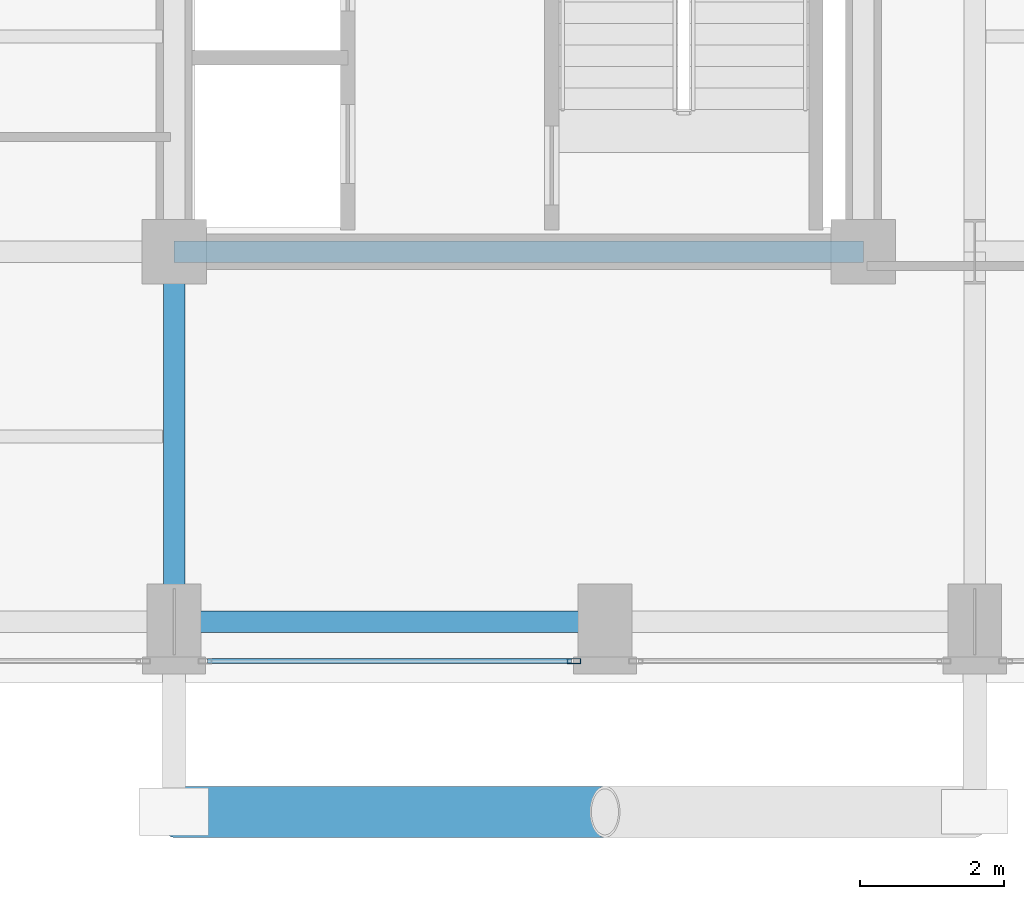
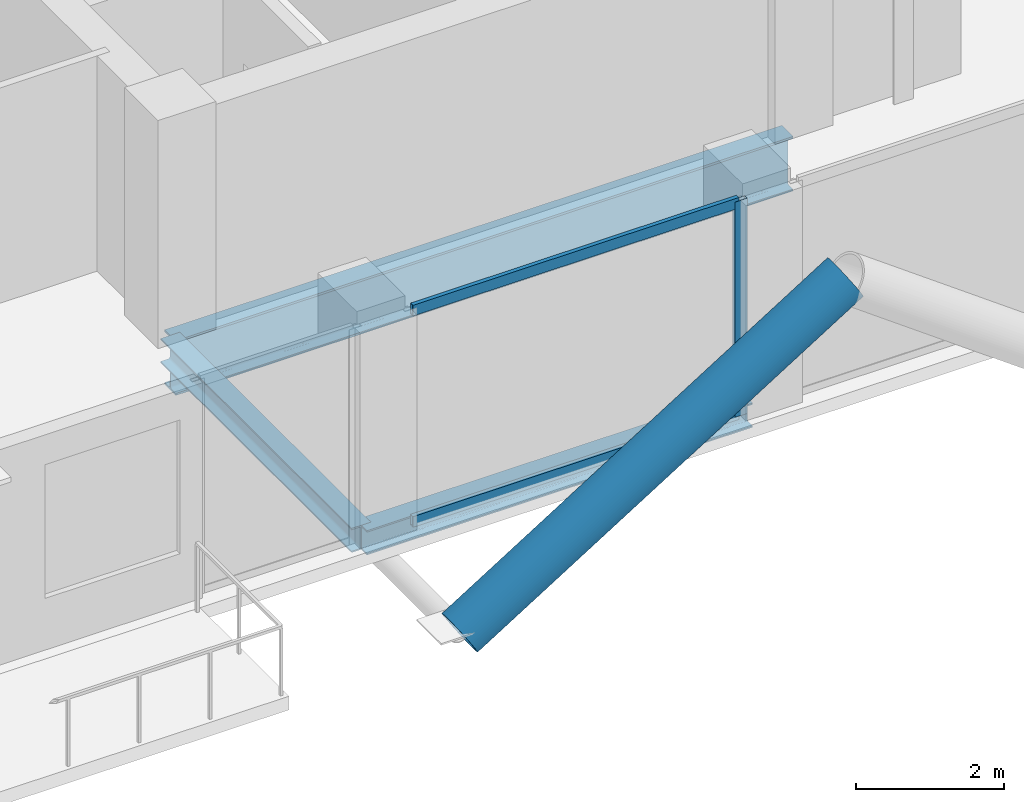
# One storey, part 5 of 21: 4 members, 3 beams, 1 element without a shape of its own.
"""IFC4 building model written with IfcOpenShell, lengths in metres."""

from ifc_helpers import new_model, si_unit, direction, frame, origin, origin_2d, place, context, subcontext, project, spatial, hollow_rectangle, hollow_circle, i_section, extrude, material, layer, layer_set, material_profile, profile_set, type_object, element, aggregate, save


model = new_model("IFC4")

# Units and contexts
model_context = context("Model", 3, precision=1e-05, world=origin(), true_north=direction((0.0, 1.0)))
body_context = subcontext(model_context, "Body", "Model", "MODEL_VIEW")
ifc_project = project(units=[si_unit("LENGTHUNIT", "METRE"), si_unit("AREAUNIT", "SQUARE_METRE"), si_unit("VOLUMEUNIT", "CUBIC_METRE"), si_unit("PLANEANGLEUNIT", "RADIAN"), si_unit("MASSUNIT", "GRAM", prefix="KILO"), si_unit("THERMODYNAMICTEMPERATUREUNIT", "KELVIN"), si_unit("POWERUNIT", "WATT")], contexts=[model_context])

# Site, building, storey
site_placement = place(None, origin())
site = spatial("IfcSite", under=ifc_project, at=site_placement, CompositionType="ELEMENT")
building_placement = place(site_placement, origin())
building = spatial("IfcBuilding", under=site, at=building_placement, Name="Svarakhadi Broadcast Tower", CompositionType="ELEMENT")
storey_placement = place(building_placement, frame((0.0, 0.0, 208.64990234375)))
storey = spatial("IfcBuildingStorey", under=building, at=storey_placement, Name="L51", CompositionType="ELEMENT", Elevation=208.64990234375)

# Curtain wall, members
ifc_material_1 = material(Name="Anodised Bronze Aluminium AA 6063-T6", Category="aluminium")
ifc_layer = layer(ifc_material_1, 0.18994140625)
ifc_layer_set = layer_set([ifc_layer], Name="Anodised Bronze Aluminium AA 6063-T6")
curtain_wall_type = type_object("IfcCurtainWallType", Name="CW_Sys_04", PredefinedType="NOTDEFINED", material=ifc_layer_set)
curtain_wall_placement = place(storey_placement, origin())
curtain_wall = element("IfcCurtainWall", 1, at=curtain_wall_placement, inside=storey, type_object=curtain_wall_type, Name="L51 South Curtain Wall 16 Bay 3", PredefinedType="NOTDEFINED")
ifc_material_profile_1 = material_profile(ifc_material_1, hollow_rectangle(XDim=0.070068359375, YDim=0.18994140625, WallThickness=0.005615234375, at=origin_2d()), Name="ALU MULLION 190x70x6")
ifc_profile_set_1 = profile_set([ifc_material_profile_1], Name="Anodised Bronze Aluminium AA 6063-T6")
member_type_1 = type_object("IfcMemberType", Name="CW_Sys_04_Mul", PredefinedType="MULLION", material=ifc_profile_set_1)
member_1_placement = place(storey_placement, frame((29.570068359375, 0.300048828125, 0.0), z_axis=(0.0, 0.0, 1.0), x_axis=(0.0, -1.0, 0.0)))
member_1 = element("IfcMember", 2, at=member_1_placement, type_object=member_type_1, Name="CW-04 mullion 1", PredefinedType="MULLION", context=body_context, shape_type="SweptSolid", body=[
    extrude(hollow_rectangle(XDim=0.070068359375, YDim=0.18994140625, WallThickness=0.005615234375, at=origin_2d()), origin(), (0.0, 0.0, 1.0), 3.5400390625),
])
ifc_material_profile_2 = material_profile(ifc_material_1, hollow_rectangle(XDim=0.06494140625, YDim=0.175048828125, WallThickness=0.0048828125, at=origin_2d()), Name="ALU TRANSOM 175x65x5")
ifc_profile_set_2 = profile_set([ifc_material_profile_2], Name="Anodised Bronze Aluminium AA 6063-T6")
member_type_2 = type_object("IfcMemberType", Name="CW_Sys_04_Trn", PredefinedType="USERDEFINED", material=ifc_profile_set_2)
member_2_placement = place(storey_placement, frame((29.534912109375, 0.300048828125, 0.03271484375), z_axis=(-1.0, 0.0, 0.0), x_axis=(0.0, -1.0, 0.0)))
member_2 = element("IfcMember", 3, at=member_2_placement, type_object=member_type_2, Name="CW-04 transom 1.1", ObjectType="TRANSOM", PredefinedType="USERDEFINED", context=body_context, shape_type="SweptSolid", body=[
    extrude(hollow_rectangle(XDim=0.06494140625, YDim=0.175048828125, WallThickness=0.0048828125, at=origin_2d()), origin(), (0.0, 0.0, 1.0), 5.06982421875),
])
member_3_placement = place(storey_placement, frame((29.534912109375, 0.300048828125, 3.507568359375), z_axis=(-1.0, 0.0, 0.0), x_axis=(0.0, -1.0, 0.0)))
member_3 = element("IfcMember", 4, at=member_3_placement, type_object=member_type_2, Name="CW-04 transom 1.2", ObjectType="TRANSOM", PredefinedType="USERDEFINED", context=body_context, shape_type="SweptSolid", body=[
    extrude(hollow_rectangle(XDim=0.06494140625, YDim=0.175048828125, WallThickness=0.0048828125, at=origin_2d()), origin(), (0.0, 0.0, 1.0), 5.06982421875),
])
aggregate(curtain_wall, [member_1, member_2, member_3])

# Member
ifc_material_2 = material(Name="Steel S460ML (IS 2062 E450BR)", Category="steel")
ifc_material_profile_3 = material_profile(ifc_material_2, hollow_circle(Radius=0.35546875, WallThickness=0.034912109375, at=origin_2d()), Name="CHS 711x35")
ifc_profile_set_3 = profile_set([ifc_material_profile_3], Name="Steel S460ML (IS 2062 E450BR)")
member_type_3 = type_object("IfcMemberType", Name="Exo_Brace_CHS711", PredefinedType="BRACE", material=ifc_profile_set_3)
member_4_placement = place(storey_placement, frame((24.0, -1.800048828125, -0.371826171875), z_axis=(0.847998304005, 0.0, 0.529998940003), x_axis=(0.0, 1.0, 0.0)))
element("IfcMember", 5, at=member_4_placement, inside=storey, type_object=member_type_3, Name="L51 Exposed Bronze Exoskeleton Diagonal S01", PredefinedType="BRACE", context=body_context, shape_type="SweptSolid", body=[
    extrude(hollow_circle(Radius=0.35546875, WallThickness=0.034912109375, at=origin_2d()), origin(), (0.0, 0.0, 1.0), 7.075439453125),
])

# Beams
ifc_material_3 = material(Name="Steel S355J2 (IS 2062 E350C)", Category="steel")
ifc_material_profile_4 = material_profile(ifc_material_3, i_section(OverallWidth=0.300048828125, OverallDepth=0.39990234375, WebThickness=0.013427734375, FlangeThickness=0.02392578125, FilletRadius=0.027099609375, at=origin_2d()), Name="WPB 400x300x155")
ifc_profile_set_4 = profile_set([ifc_material_profile_4], Name="Steel S355J2 (IS 2062 E350C)")
beam_type_1 = type_object("IfcBeamType", Name="Girder_WPB400", PredefinedType="USERDEFINED", material=ifc_profile_set_4)
beam_1_placement = place(storey_placement, frame((24.0, 0.85009765625, -0.409912109375), z_axis=(1.0, 0.0, 0.0), x_axis=(0.0, 1.0, 0.0)))
element("IfcBeam", 6, at=beam_1_placement, inside=storey, type_object=beam_type_1, Name="L51 Primary E-W Girder G007", ObjectType="GIRDER", PredefinedType="USERDEFINED", context=body_context, shape_type="SweptSolid", body=[
    extrude(i_section(OverallWidth=0.300048828125, OverallDepth=0.39990234375, WebThickness=0.013427734375, FlangeThickness=0.02392578125, FilletRadius=0.027099609375, at=origin_2d()), origin(), (0.0, 0.0, 1.0), 6.0),
])
beam_2_placement = place(storey_placement, frame((24.0, 0.85009765625, -0.409912109375), z_axis=(0.0, 1.0, 0.0), x_axis=(-1.0, 0.0, 0.0)))
element("IfcBeam", 7, at=beam_2_placement, inside=storey, type_object=beam_type_1, Name="L51 Primary N-S Girder G051", ObjectType="GIRDER", PredefinedType="USERDEFINED", context=body_context, shape_type="SweptSolid", body=[
    extrude(i_section(OverallWidth=0.300048828125, OverallDepth=0.39990234375, WebThickness=0.013427734375, FlangeThickness=0.02392578125, FilletRadius=0.027099609375, at=origin_2d()), origin(), (0.0, 0.0, 1.0), 5.14990234375),
])
ifc_material_profile_5 = material_profile(ifc_material_2, i_section(OverallWidth=0.300048828125, OverallDepth=0.89990234375, WebThickness=0.0185546875, FlangeThickness=0.034912109375, FilletRadius=0.030029296875, at=origin_2d()), Name="WPB 900x300x291")
ifc_profile_set_5 = profile_set([ifc_material_profile_5], Name="Steel S460ML (IS 2062 E450BR)")
beam_type_2 = type_object("IfcBeamType", Name="Girder_WPB900", PredefinedType="USERDEFINED", material=ifc_profile_set_5)
beam_3_placement = place(storey_placement, frame((24.0, 6.0, -0.659912109375), z_axis=(1.0, 0.0, 0.0), x_axis=(0.0, 1.0, 0.0)))
element("IfcBeam", 8, at=beam_3_placement, inside=storey, type_object=beam_type_2, Name="L51 Primary E-W Girder G013", ObjectType="GIRDER", PredefinedType="USERDEFINED", context=body_context, shape_type="SweptSolid", body=[
    extrude(i_section(OverallWidth=0.300048828125, OverallDepth=0.89990234375, WebThickness=0.0185546875, FlangeThickness=0.034912109375, FilletRadius=0.030029296875, at=origin_2d()), origin(), (0.0, 0.0, 1.0), 9.60009765625),
])

save(model, "model.ifc")
